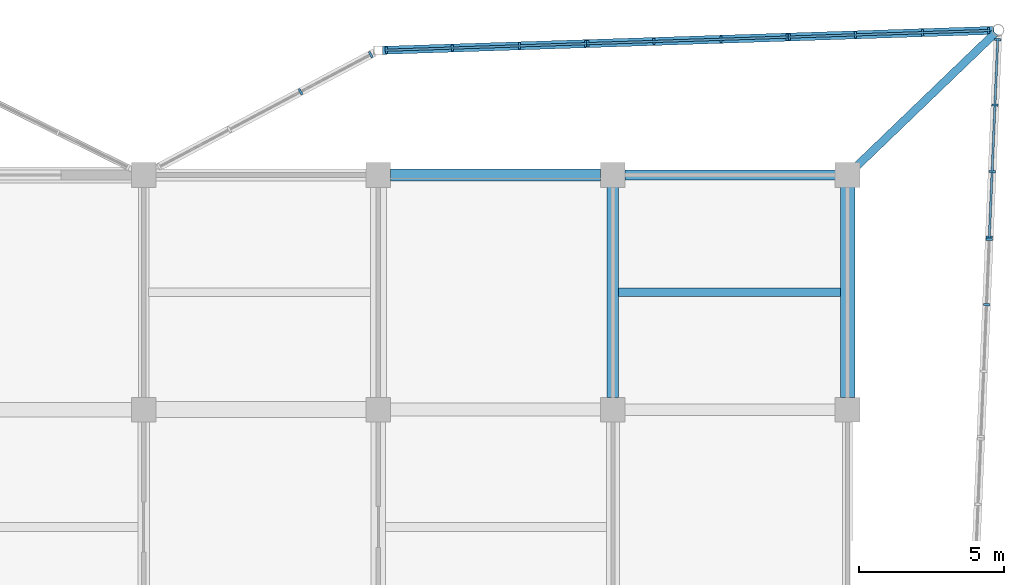
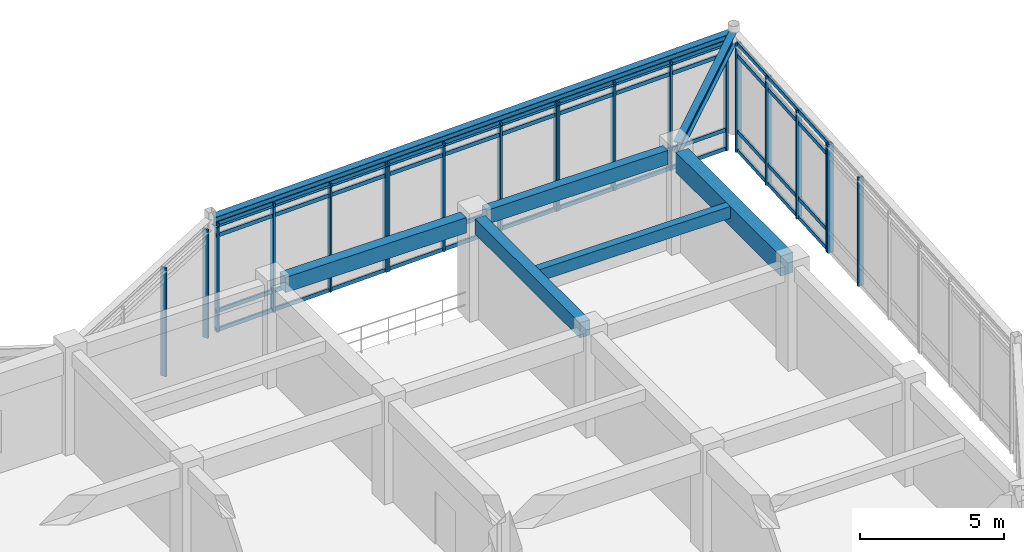
# One storey, part 48 of 93: 36 members, 7 beams, 6 elements without a shape of their own.
"""IFC4 building model written with IfcOpenShell, lengths in metres."""

from ifc_helpers import new_model, si_unit, direction, frame, origin, origin_2d, place, context, subcontext, project, spatial, rectangle, i_section, extrude, material, layer, layer_set, material_profile, profile_set, type_object, element, aggregate, save


model = new_model("IFC4")

# Units and contexts
model_context = context("Model", 3, precision=1e-05, world=origin(), true_north=direction((0.0, 1.0)))
body_context = subcontext(model_context, "Body", "Model", "MODEL_VIEW")
ifc_project = project(units=[si_unit("LENGTHUNIT", "METRE"), si_unit("AREAUNIT", "SQUARE_METRE"), si_unit("VOLUMEUNIT", "CUBIC_METRE"), si_unit("PLANEANGLEUNIT", "RADIAN"), si_unit("MASSUNIT", "GRAM", prefix="KILO")], contexts=[model_context])

# Site, building, storey
site_placement = place(None, origin())
site = spatial("IfcSite", under=ifc_project, at=site_placement, CompositionType="ELEMENT")
building_placement = place(site_placement, origin())
building = spatial("IfcBuilding", under=site, at=building_placement, Name="Vaudrelin Polytechnic", CompositionType="ELEMENT")
storey_placement = place(building_placement, frame((0.0, 0.0, 5.10009765625)))
storey = spatial("IfcBuildingStorey", under=building, at=storey_placement, Name="L01", CompositionType="ELEMENT", Elevation=5.10009765625)

# Beams
ifc_material_1 = material(Name="Concrete 40 MPa", Category="concrete")
ifc_material_profile_1 = material_profile(ifc_material_1, rectangle(XDim=0.35009765625, YDim=0.60009765625, at=origin_2d()), Name="RC350x600")
ifc_profile_set_1 = profile_set([ifc_material_profile_1], Name="Concrete 40 MPa")
beam_type_1 = type_object("IfcBeamType", Name="BM-BM-RC3560", PredefinedType="BEAM", material=ifc_profile_set_1)
beam_1_placement = place(storey_placement, frame((162.4208984375, 121.5, 4.010009765625), z_axis=(1.0, 0.0, 0.0), x_axis=(0.0, 1.0, 0.0)))
element("IfcBeam", 1, at=beam_1_placement, inside=storey, type_object=beam_type_1, Name="L01 X-beam 21-16", PredefinedType="BEAM", context=body_context, shape_type="SweptSolid", body=[
    extrude(rectangle(XDim=0.35009765625, YDim=0.60009765625, at=origin_2d()), origin(), (0.0, 0.0, 1.0), 7.258056640625),
])
ifc_material_profile_2 = material_profile(ifc_material_1, rectangle(XDim=0.39990234375, YDim=0.64990234375, at=origin_2d()), Name="RC400x650")
ifc_profile_set_2 = profile_set([ifc_material_profile_2], Name="Concrete 40 MPa")
beam_type_2 = type_object("IfcBeamType", Name="BM-BM-RC4065", PredefinedType="BEAM", material=ifc_profile_set_2)
beam_2_placement = place(storey_placement, frame((162.0, 113.81005859375, 3.98486328125), z_axis=(0.0, 1.0, 0.0), x_axis=(-1.0, 0.0, 0.0)))
element("IfcBeam", 2, at=beam_2_placement, inside=storey, type_object=beam_type_2, Name="L01 Y-beam 21-15", PredefinedType="BEAM", context=body_context, shape_type="SweptSolid", body=[
    extrude(rectangle(XDim=0.39990234375, YDim=0.64990234375, at=origin_2d()), origin(), (0.0, 0.0, 1.0), 7.280029296875),
])
beam_3_placement = place(storey_placement, frame((154.321044921875, 121.5, 3.98486328125), z_axis=(1.0, 0.0, 0.0), x_axis=(0.0, 1.0, 0.0)))
element("IfcBeam", 3, at=beam_3_placement, inside=storey, type_object=beam_type_2, Name="L01 X-beam 20-16", PredefinedType="BEAM", context=body_context, shape_type="SweptSolid", body=[
    extrude(rectangle(XDim=0.39990234375, YDim=0.64990234375, at=origin_2d()), origin(), (0.0, 0.0, 1.0), 7.258056640625),
])
ifc_material_profile_3 = material_profile(ifc_material_1, rectangle(XDim=0.5, YDim=0.85009765625, at=origin_2d()), Name="RC500x850")
ifc_profile_set_3 = profile_set([ifc_material_profile_3], Name="Concrete 40 MPa")
beam_type_3 = type_object("IfcBeamType", Name="BM-BM-RC5085", PredefinedType="BEAM", material=ifc_profile_set_3)
beam_4_placement = place(storey_placement, frame((170.10009765625, 113.81005859375, 3.885009765625), z_axis=(0.0, 1.0, 0.0), x_axis=(-1.0, 0.0, 0.0)))
element("IfcBeam", 4, at=beam_4_placement, inside=storey, type_object=beam_type_3, Name="L01 Y-beam 22-15", PredefinedType="BEAM", context=body_context, shape_type="SweptSolid", body=[
    extrude(rectangle(XDim=0.5, YDim=0.85009765625, at=origin_2d()), origin(), (0.0, 0.0, 1.0), 7.280029296875),
])
ifc_material_2 = material(Name="Steel CSA G40.21 350W", Category="steel")
ifc_material_profile_4 = material_profile(ifc_material_2, i_section(OverallWidth=0.280029296875, OverallDepth=0.462890625, WebThickness=0.0107421875, FlangeThickness=0.017333984375, FilletRadius=0.01806640625, at=origin_2d()), Name="W460x113")
ifc_profile_set_4 = profile_set([ifc_material_profile_4], Name="Steel CSA G40.21 350W")
beam_type_4 = type_object("IfcBeamType", Name="BM-BM-W460H", PredefinedType="BEAM", material=ifc_profile_set_4)
beam_5_placement = place(storey_placement, frame((154.039794921875, 125.8046875, 4.078369140625), z_axis=(0.999465724625, 0.032684328046, 0.0), x_axis=(-0.032684328046, 0.999465724625, 0.0)))
element("IfcBeam", 5, at=beam_5_placement, inside=storey, type_object=beam_type_4, Name="Sculptural edge beam L01 NE_BM_2", PredefinedType="BEAM", context=body_context, shape_type="SweptSolid", body=[
    extrude(i_section(OverallWidth=0.280029296875, OverallDepth=0.462890625, WebThickness=0.0107421875, FlangeThickness=0.017333984375, FilletRadius=0.01806640625, at=origin_2d()), origin(), (0.0, 0.0, 1.0), 21.131591796875),
])
beam_6_placement = place(storey_placement, frame((170.200927734375, 121.596923828125, 4.078369140625), z_axis=(0.720825622612, 0.69311645615, 0.0), x_axis=(-0.69311645615, 0.720825622612, 0.0)))
element("IfcBeam", 6, at=beam_6_placement, inside=storey, type_object=beam_type_4, Name="Sculptural edge beam L01 NE_BM_5", PredefinedType="BEAM", context=body_context, shape_type="SweptSolid", body=[
    extrude(i_section(OverallWidth=0.280029296875, OverallDepth=0.462890625, WebThickness=0.0107421875, FlangeThickness=0.017333984375, FilletRadius=0.01806640625, at=origin_2d()), origin(), (0.0, 0.0, 1.0), 6.93408203125),
])
ifc_material_profile_5 = material_profile(ifc_material_1, rectangle(XDim=0.300048828125, YDim=0.5, at=origin_2d()), Name="RC300x500")
ifc_profile_set_5 = profile_set([ifc_material_profile_5], Name="Concrete 40 MPa")
beam_type_5 = type_object("IfcBeamType", Name="BM-JS-RC3050", PredefinedType="JOIST", material=ifc_profile_set_5)
beam_7_placement = place(storey_placement, frame((162.196044921875, 117.449951171875, 4.059814453125), z_axis=(1.0, 0.0, 0.0), x_axis=(0.0, 1.0, 0.0)))
element("IfcBeam", 7, at=beam_7_placement, inside=storey, type_object=beam_type_5, Name="L01 floor joist 21-15", PredefinedType="JOIST", context=body_context, shape_type="SweptSolid", body=[
    extrude(rectangle(XDim=0.300048828125, YDim=0.5, at=origin_2d()), origin(), (0.0, 0.0, 1.0), 7.657958984375),
])

# Curtain wall, members
ifc_material_3 = material(Name="Thermally broken anodised aluminium AA 6063-T6 and low-e triple glazing", Category="aluminium")
ifc_layer = layer(ifc_material_3, 0.199951171875)
ifc_layer_set = layer_set([ifc_layer], Name="Thermally broken anodised aluminium AA 6063-T6 and low-e triple glazing")
curtain_wall_type = type_object("IfcCurtainWallType", Name="CW-CW-LAB", PredefinedType="USERDEFINED", material=ifc_layer_set)
curtain_wall_1_placement = place(storey_placement, origin())
curtain_wall_1 = element("IfcCurtainWall", 8, at=curtain_wall_1_placement, inside=storey, type_object=curtain_wall_type, Name="Curtain wall L01 NEP_1_0", ObjectType="CURTAIN WALL", PredefinedType="USERDEFINED")
ifc_material_4 = material(Name="Anodised aluminium AA 6063-T6", Category="aluminium")
ifc_material_profile_6 = material_profile(ifc_material_4, rectangle(XDim=0.074951171875, YDim=0.219970703125, at=origin_2d()), Name="CWM-75x220")
ifc_profile_set_6 = profile_set([ifc_material_profile_6], Name="Anodised aluminium AA 6063-T6")
member_type_1 = type_object("IfcMemberType", Name="MEM-CWM-220", PredefinedType="MULLION", material=ifc_profile_set_6)
member_1_placement = place(storey_placement, frame((151.215087890625, 124.37451171875, -0.630126953125), z_axis=(0.0, 0.0, 1.0), x_axis=(0.883256373642, 0.468890369298, 0.0)))
member_1 = element("IfcMember", 9, at=member_1_placement, type_object=member_type_1, Name="NEP_1_0 mullion 3", PredefinedType="MULLION", context=body_context, shape_type="SweptSolid", body=[
    extrude(rectangle(XDim=0.074951171875, YDim=0.219970703125, at=origin_2d()), origin(), (0.0, 0.0, 1.0), 4.610107421875),
])
member_2_placement = place(storey_placement, frame((153.63720703125, 125.660400390625, -0.630126953125), z_axis=(0.0, 0.0, 1.0), x_axis=(0.883256373642, 0.468890369298, 0.0)))
member_2 = element("IfcMember", 10, at=member_2_placement, type_object=member_type_1, Name="NEP_1_0 mullion 4", PredefinedType="MULLION", context=body_context, shape_type="SweptSolid", body=[
    extrude(rectangle(XDim=0.074951171875, YDim=0.219970703125, at=origin_2d()), origin(), (0.0, 0.0, 1.0), 4.610107421875),
])
aggregate(curtain_wall_1, [member_1, member_2])

curtain_wall_2_placement = place(storey_placement, origin())
curtain_wall_2 = element("IfcCurtainWall", 11, at=curtain_wall_2_placement, inside=storey, type_object=curtain_wall_type, Name="Curtain wall L01 NEP_2_0", ObjectType="CURTAIN WALL", PredefinedType="USERDEFINED")
member_3_placement = place(storey_placement, frame((154.177490234375, 125.80908203125, -0.630126953125), z_axis=(0.0, 0.0, 1.0), x_axis=(0.999465454284, 0.032692593862, 0.0)))
member_3 = element("IfcMember", 12, at=member_3_placement, type_object=member_type_1, Name="NEP_2_0 mullion 1", PredefinedType="MULLION", context=body_context, shape_type="SweptSolid", body=[
    extrude(rectangle(XDim=0.074951171875, YDim=0.219970703125, at=origin_2d()), origin(), (0.0, 0.0, 1.0), 4.610107421875),
])
member_4_placement = place(storey_placement, frame((156.456787109375, 125.8837890625, -0.630126953125), z_axis=(0.0, 0.0, 1.0), x_axis=(0.999465454284, 0.032692593862, 0.0)))
member_4 = element("IfcMember", 13, at=member_4_placement, type_object=member_type_1, Name="NEP_2_0 mullion 2", PredefinedType="MULLION", context=body_context, shape_type="SweptSolid", body=[
    extrude(rectangle(XDim=0.074951171875, YDim=0.219970703125, at=origin_2d()), origin(), (0.0, 0.0, 1.0), 4.610107421875),
])
member_5_placement = place(storey_placement, frame((158.776123046875, 125.95947265625, -0.630126953125), z_axis=(0.0, 0.0, 1.0), x_axis=(0.999465454284, 0.032692593862, 0.0)))
member_5 = element("IfcMember", 14, at=member_5_placement, type_object=member_type_1, Name="NEP_2_0 mullion 3", PredefinedType="MULLION", context=body_context, shape_type="SweptSolid", body=[
    extrude(rectangle(XDim=0.074951171875, YDim=0.219970703125, at=origin_2d()), origin(), (0.0, 0.0, 1.0), 4.610107421875),
])
member_6_placement = place(storey_placement, frame((161.0556640625, 126.0341796875, -0.630126953125), z_axis=(0.0, 0.0, 1.0), x_axis=(0.999465454284, 0.032692593862, 0.0)))
member_6 = element("IfcMember", 15, at=member_6_placement, type_object=member_type_1, Name="NEP_2_0 mullion 4", PredefinedType="MULLION", context=body_context, shape_type="SweptSolid", body=[
    extrude(rectangle(XDim=0.074951171875, YDim=0.219970703125, at=origin_2d()), origin(), (0.0, 0.0, 1.0), 4.610107421875),
])

curtain_wall_3_placement = place(storey_placement, origin())
curtain_wall_3 = element("IfcCurtainWall", 16, at=curtain_wall_3_placement, inside=storey, type_object=curtain_wall_type, Name="Curtain wall L01 NEP_2_1", ObjectType="CURTAIN WALL", PredefinedType="USERDEFINED")
member_7_placement = place(storey_placement, frame((161.135498046875, 126.03662109375, -0.630126953125), z_axis=(0.0, 0.0, 1.0), x_axis=(0.999465454284, 0.032692593862, 0.0)))
member_7 = element("IfcMember", 17, at=member_7_placement, type_object=member_type_1, Name="NEP_2_1 mullion 1", PredefinedType="MULLION", context=body_context, shape_type="SweptSolid", body=[
    extrude(rectangle(XDim=0.074951171875, YDim=0.219970703125, at=origin_2d()), origin(), (0.0, 0.0, 1.0), 4.610107421875),
])
member_8_placement = place(storey_placement, frame((163.4150390625, 126.111328125, -0.630126953125), z_axis=(0.0, 0.0, 1.0), x_axis=(0.999465454284, 0.032692593862, 0.0)))
member_8 = element("IfcMember", 18, at=member_8_placement, type_object=member_type_1, Name="NEP_2_1 mullion 2", PredefinedType="MULLION", context=body_context, shape_type="SweptSolid", body=[
    extrude(rectangle(XDim=0.074951171875, YDim=0.219970703125, at=origin_2d()), origin(), (0.0, 0.0, 1.0), 4.610107421875),
])
member_9_placement = place(storey_placement, frame((165.734375, 126.18701171875, -0.630126953125), z_axis=(0.0, 0.0, 1.0), x_axis=(0.999465454284, 0.032692593862, 0.0)))
member_9 = element("IfcMember", 19, at=member_9_placement, type_object=member_type_1, Name="NEP_2_1 mullion 3", PredefinedType="MULLION", context=body_context, shape_type="SweptSolid", body=[
    extrude(rectangle(XDim=0.074951171875, YDim=0.219970703125, at=origin_2d()), origin(), (0.0, 0.0, 1.0), 4.610107421875),
])
member_10_placement = place(storey_placement, frame((168.013671875, 126.26171875, -0.630126953125), z_axis=(0.0, 0.0, 1.0), x_axis=(0.999465454284, 0.032692593862, 0.0)))
member_10 = element("IfcMember", 20, at=member_10_placement, type_object=member_type_1, Name="NEP_2_1 mullion 4", PredefinedType="MULLION", context=body_context, shape_type="SweptSolid", body=[
    extrude(rectangle(XDim=0.074951171875, YDim=0.219970703125, at=origin_2d()), origin(), (0.0, 0.0, 1.0), 4.610107421875),
])

curtain_wall_4_placement = place(storey_placement, origin())
curtain_wall_4 = element("IfcCurtainWall", 21, at=curtain_wall_4_placement, inside=storey, type_object=curtain_wall_type, Name="Curtain wall L01 NEP_2_2", ObjectType="CURTAIN WALL", PredefinedType="USERDEFINED")
member_11_placement = place(storey_placement, frame((168.09375, 126.264404296875, -0.630126953125), z_axis=(0.0, 0.0, 1.0), x_axis=(0.999465454284, 0.032692593862, 0.0)))
member_11 = element("IfcMember", 22, at=member_11_placement, type_object=member_type_1, Name="NEP_2_2 mullion 1", PredefinedType="MULLION", context=body_context, shape_type="SweptSolid", body=[
    extrude(rectangle(XDim=0.074951171875, YDim=0.219970703125, at=origin_2d()), origin(), (0.0, 0.0, 1.0), 4.610107421875),
])
member_12_placement = place(storey_placement, frame((170.373046875, 126.3388671875, -0.630126953125), z_axis=(0.0, 0.0, 1.0), x_axis=(0.999465454284, 0.032692593862, 0.0)))
member_12 = element("IfcMember", 23, at=member_12_placement, type_object=member_type_1, Name="NEP_2_2 mullion 2", PredefinedType="MULLION", context=body_context, shape_type="SweptSolid", body=[
    extrude(rectangle(XDim=0.074951171875, YDim=0.219970703125, at=origin_2d()), origin(), (0.0, 0.0, 1.0), 4.610107421875),
])
member_13_placement = place(storey_placement, frame((172.6923828125, 126.414794921875, -0.630126953125), z_axis=(0.0, 0.0, 1.0), x_axis=(0.999465454284, 0.032692593862, 0.0)))
member_13 = element("IfcMember", 24, at=member_13_placement, type_object=member_type_1, Name="NEP_2_2 mullion 3", PredefinedType="MULLION", context=body_context, shape_type="SweptSolid", body=[
    extrude(rectangle(XDim=0.074951171875, YDim=0.219970703125, at=origin_2d()), origin(), (0.0, 0.0, 1.0), 4.610107421875),
])
member_14_placement = place(storey_placement, frame((174.9716796875, 126.4892578125, -0.630126953125), z_axis=(0.0, 0.0, 1.0), x_axis=(0.999465454284, 0.032692593862, 0.0)))
member_14 = element("IfcMember", 25, at=member_14_placement, type_object=member_type_1, Name="NEP_2_2 mullion 4", PredefinedType="MULLION", context=body_context, shape_type="SweptSolid", body=[
    extrude(rectangle(XDim=0.074951171875, YDim=0.219970703125, at=origin_2d()), origin(), (0.0, 0.0, 1.0), 4.610107421875),
])

curtain_wall_5_placement = place(storey_placement, origin())
curtain_wall_5 = element("IfcCurtainWall", 26, at=curtain_wall_5_placement, inside=storey, type_object=curtain_wall_type, Name="Curtain wall L01 NEP_3_0", ObjectType="CURTAIN WALL", PredefinedType="USERDEFINED")
member_15_placement = place(storey_placement, frame((175.2861328125, 126.171875, -0.630126953125), z_axis=(0.0, 0.0, 1.0), x_axis=(-0.042419882824, -0.999099871655, 0.0)))
member_15 = element("IfcMember", 27, at=member_15_placement, type_object=member_type_1, Name="NEP_3_0 mullion 1", PredefinedType="MULLION", context=body_context, shape_type="SweptSolid", body=[
    extrude(rectangle(XDim=0.074951171875, YDim=0.219970703125, at=origin_2d()), origin(), (0.0, 0.0, 1.0), 4.610107421875),
])
member_16_placement = place(storey_placement, frame((175.190185546875, 123.914794921875, -0.630126953125), z_axis=(0.0, 0.0, 1.0), x_axis=(-0.042419882824, -0.999099871655, 0.0)))
member_16 = element("IfcMember", 28, at=member_16_placement, type_object=member_type_1, Name="NEP_3_0 mullion 2", PredefinedType="MULLION", context=body_context, shape_type="SweptSolid", body=[
    extrude(rectangle(XDim=0.074951171875, YDim=0.219970703125, at=origin_2d()), origin(), (0.0, 0.0, 1.0), 4.610107421875),
])
member_17_placement = place(storey_placement, frame((175.0927734375, 121.61767578125, -0.630126953125), z_axis=(0.0, 0.0, 1.0), x_axis=(-0.042419882824, -0.999099871655, 0.0)))
member_17 = element("IfcMember", 29, at=member_17_placement, type_object=member_type_1, Name="NEP_3_0 mullion 3", PredefinedType="MULLION", context=body_context, shape_type="SweptSolid", body=[
    extrude(rectangle(XDim=0.074951171875, YDim=0.219970703125, at=origin_2d()), origin(), (0.0, 0.0, 1.0), 4.610107421875),
])
member_18_placement = place(storey_placement, frame((174.996826171875, 119.3603515625, -0.630126953125), z_axis=(0.0, 0.0, 1.0), x_axis=(-0.042419882824, -0.999099871655, 0.0)))
member_18 = element("IfcMember", 30, at=member_18_placement, type_object=member_type_1, Name="NEP_3_0 mullion 4", PredefinedType="MULLION", context=body_context, shape_type="SweptSolid", body=[
    extrude(rectangle(XDim=0.074951171875, YDim=0.219970703125, at=origin_2d()), origin(), (0.0, 0.0, 1.0), 4.610107421875),
])

curtain_wall_6_placement = place(storey_placement, origin())
curtain_wall_6 = element("IfcCurtainWall", 31, at=curtain_wall_6_placement, inside=storey, type_object=curtain_wall_type, Name="Curtain wall L01 NEP_3_1", ObjectType="CURTAIN WALL", PredefinedType="USERDEFINED")
member_19_placement = place(storey_placement, frame((174.993408203125, 119.280517578125, -0.630126953125), z_axis=(0.0, 0.0, 1.0), x_axis=(-0.042405411318, -0.999100485983, 0.0)))
member_19 = element("IfcMember", 32, at=member_19_placement, type_object=member_type_1, Name="NEP_3_1 mullion 1", PredefinedType="MULLION", context=body_context, shape_type="SweptSolid", body=[
    extrude(rectangle(XDim=0.074951171875, YDim=0.219970703125, at=origin_2d()), origin(), (0.0, 0.0, 1.0), 4.610107421875),
])
member_20_placement = place(storey_placement, frame((174.897705078125, 117.023193359375, -0.630126953125), z_axis=(0.0, 0.0, 1.0), x_axis=(-0.042405411318, -0.999100485983, 0.0)))
member_20 = element("IfcMember", 33, at=member_20_placement, type_object=member_type_1, Name="NEP_3_1 mullion 2", PredefinedType="MULLION", context=body_context, shape_type="SweptSolid", body=[
    extrude(rectangle(XDim=0.074951171875, YDim=0.219970703125, at=origin_2d()), origin(), (0.0, 0.0, 1.0), 4.610107421875),
])
aggregate(curtain_wall_6, [member_19, member_20])

# Member
ifc_material_profile_7 = material_profile(ifc_material_4, rectangle(XDim=0.074951171875, YDim=0.1650390625, at=origin_2d()), Name="CWT-75x165")
ifc_profile_set_7 = profile_set([ifc_material_profile_7], Name="Anodised aluminium AA 6063-T6")
member_type_2 = type_object("IfcMemberType", Name="MEM-CWT-165", PredefinedType="USERDEFINED", material=ifc_profile_set_7)
member_21_placement = place(storey_placement, frame((154.137451171875, 125.807861328125, -0.580078125), z_axis=(0.999465763569, 0.032683137141, 0.0), x_axis=(-0.032683137141, 0.999465763569, 0.0)))
member_21 = element("IfcMember", 34, at=member_21_placement, type_object=member_type_2, Name="NEP_2_0 transom 1", ObjectType="TRANSOM", PredefinedType="USERDEFINED", context=body_context, shape_type="SweptSolid", body=[
    extrude(rectangle(XDim=0.074951171875, YDim=0.1650390625, at=origin_2d()), origin(), (0.0, 0.0, 1.0), 6.9619140625),
])

member_22_placement = place(storey_placement, frame((154.137451171875, 125.807861328125, 0.219970703125), z_axis=(0.999465763569, 0.032683137141, 0.0), x_axis=(-0.032683137141, 0.999465763569, 0.0)))
member_22 = element("IfcMember", 35, at=member_22_placement, type_object=member_type_2, Name="NEP_2_0 transom 2", ObjectType="TRANSOM", PredefinedType="USERDEFINED", context=body_context, shape_type="SweptSolid", body=[
    extrude(rectangle(XDim=0.074951171875, YDim=0.1650390625, at=origin_2d()), origin(), (0.0, 0.0, 1.0), 6.9619140625),
])

member_23_placement = place(storey_placement, frame((154.137451171875, 125.807861328125, 3.429931640625), z_axis=(0.999465763569, 0.032683137141, 0.0), x_axis=(-0.032683137141, 0.999465763569, 0.0)))
member_23 = element("IfcMember", 36, at=member_23_placement, type_object=member_type_2, Name="NEP_2_0 transom 3", ObjectType="TRANSOM", PredefinedType="USERDEFINED", context=body_context, shape_type="SweptSolid", body=[
    extrude(rectangle(XDim=0.074951171875, YDim=0.1650390625, at=origin_2d()), origin(), (0.0, 0.0, 1.0), 6.9619140625),
])

member_24_placement = place(storey_placement, frame((154.137451171875, 125.807861328125, 3.929931640625), z_axis=(0.999465763569, 0.032683137141, 0.0), x_axis=(-0.032683137141, 0.999465763569, 0.0)))
member_24 = element("IfcMember", 37, at=member_24_placement, type_object=member_type_2, Name="NEP_2_0 transom 4", ObjectType="TRANSOM", PredefinedType="USERDEFINED", context=body_context, shape_type="SweptSolid", body=[
    extrude(rectangle(XDim=0.074951171875, YDim=0.1650390625, at=origin_2d()), origin(), (0.0, 0.0, 1.0), 6.9619140625),
])

aggregate(curtain_wall_2, [member_3, member_4, member_5, member_6, member_21, member_22, member_23, member_24])

member_25_placement = place(storey_placement, frame((161.095703125, 126.035400390625, -0.580078125), z_axis=(0.999465726108, 0.032684282692, 0.0), x_axis=(-0.032684282692, 0.999465726108, 0.0)))
member_25 = element("IfcMember", 38, at=member_25_placement, type_object=member_type_2, Name="NEP_2_1 transom 1", ObjectType="TRANSOM", PredefinedType="USERDEFINED", context=body_context, shape_type="SweptSolid", body=[
    extrude(rectangle(XDim=0.074951171875, YDim=0.1650390625, at=origin_2d()), origin(), (0.0, 0.0, 1.0), 6.961669921875),
])

member_26_placement = place(storey_placement, frame((161.095703125, 126.035400390625, 0.219970703125), z_axis=(0.999465726108, 0.032684282692, 0.0), x_axis=(-0.032684282692, 0.999465726108, 0.0)))
member_26 = element("IfcMember", 39, at=member_26_placement, type_object=member_type_2, Name="NEP_2_1 transom 2", ObjectType="TRANSOM", PredefinedType="USERDEFINED", context=body_context, shape_type="SweptSolid", body=[
    extrude(rectangle(XDim=0.074951171875, YDim=0.1650390625, at=origin_2d()), origin(), (0.0, 0.0, 1.0), 6.961669921875),
])

member_27_placement = place(storey_placement, frame((161.095703125, 126.035400390625, 3.429931640625), z_axis=(0.999465726108, 0.032684282692, 0.0), x_axis=(-0.032684282692, 0.999465726108, 0.0)))
member_27 = element("IfcMember", 40, at=member_27_placement, type_object=member_type_2, Name="NEP_2_1 transom 3", ObjectType="TRANSOM", PredefinedType="USERDEFINED", context=body_context, shape_type="SweptSolid", body=[
    extrude(rectangle(XDim=0.074951171875, YDim=0.1650390625, at=origin_2d()), origin(), (0.0, 0.0, 1.0), 6.961669921875),
])

member_28_placement = place(storey_placement, frame((161.095703125, 126.035400390625, 3.929931640625), z_axis=(0.999465726108, 0.032684282692, 0.0), x_axis=(-0.032684282692, 0.999465726108, 0.0)))
member_28 = element("IfcMember", 41, at=member_28_placement, type_object=member_type_2, Name="NEP_2_1 transom 4", ObjectType="TRANSOM", PredefinedType="USERDEFINED", context=body_context, shape_type="SweptSolid", body=[
    extrude(rectangle(XDim=0.074951171875, YDim=0.1650390625, at=origin_2d()), origin(), (0.0, 0.0, 1.0), 6.961669921875),
])

aggregate(curtain_wall_3, [member_7, member_8, member_9, member_10, member_25, member_26, member_27, member_28])

member_29_placement = place(storey_placement, frame((168.0537109375, 126.262939453125, -0.580078125), z_axis=(0.999465726108, 0.032684282692, 0.0), x_axis=(-0.032684282692, 0.999465726108, 0.0)))
member_29 = element("IfcMember", 42, at=member_29_placement, type_object=member_type_2, Name="NEP_2_2 transom 1", ObjectType="TRANSOM", PredefinedType="USERDEFINED", context=body_context, shape_type="SweptSolid", body=[
    extrude(rectangle(XDim=0.074951171875, YDim=0.1650390625, at=origin_2d()), origin(), (0.0, 0.0, 1.0), 6.961669921875),
])

member_30_placement = place(storey_placement, frame((168.0537109375, 126.262939453125, 0.219970703125), z_axis=(0.999465726108, 0.032684282692, 0.0), x_axis=(-0.032684282692, 0.999465726108, 0.0)))
member_30 = element("IfcMember", 43, at=member_30_placement, type_object=member_type_2, Name="NEP_2_2 transom 2", ObjectType="TRANSOM", PredefinedType="USERDEFINED", context=body_context, shape_type="SweptSolid", body=[
    extrude(rectangle(XDim=0.074951171875, YDim=0.1650390625, at=origin_2d()), origin(), (0.0, 0.0, 1.0), 6.961669921875),
])

member_31_placement = place(storey_placement, frame((168.0537109375, 126.262939453125, 3.429931640625), z_axis=(0.999465726108, 0.032684282692, 0.0), x_axis=(-0.032684282692, 0.999465726108, 0.0)))
member_31 = element("IfcMember", 44, at=member_31_placement, type_object=member_type_2, Name="NEP_2_2 transom 3", ObjectType="TRANSOM", PredefinedType="USERDEFINED", context=body_context, shape_type="SweptSolid", body=[
    extrude(rectangle(XDim=0.074951171875, YDim=0.1650390625, at=origin_2d()), origin(), (0.0, 0.0, 1.0), 6.961669921875),
])

member_32_placement = place(storey_placement, frame((168.0537109375, 126.262939453125, 3.929931640625), z_axis=(0.999465726108, 0.032684282692, 0.0), x_axis=(-0.032684282692, 0.999465726108, 0.0)))
member_32 = element("IfcMember", 45, at=member_32_placement, type_object=member_type_2, Name="NEP_2_2 transom 4", ObjectType="TRANSOM", PredefinedType="USERDEFINED", context=body_context, shape_type="SweptSolid", body=[
    extrude(rectangle(XDim=0.074951171875, YDim=0.1650390625, at=origin_2d()), origin(), (0.0, 0.0, 1.0), 6.961669921875),
])

aggregate(curtain_wall_4, [member_11, member_12, member_13, member_14, member_29, member_30, member_31, member_32])

member_33_placement = place(storey_placement, frame((175.287841796875, 126.2119140625, -0.580078125), z_axis=(-0.042437291332, -0.999099132371, 0.0), x_axis=(0.999099132371, -0.042437291332, 0.0)))
member_33 = element("IfcMember", 46, at=member_33_placement, type_object=member_type_2, Name="NEP_3_0 transom 1", ObjectType="TRANSOM", PredefinedType="USERDEFINED", context=body_context, shape_type="SweptSolid", body=[
    extrude(rectangle(XDim=0.074951171875, YDim=0.1650390625, at=origin_2d()), origin(), (0.0, 0.0, 1.0), 6.897705078125),
])

member_34_placement = place(storey_placement, frame((175.287841796875, 126.2119140625, 0.219970703125), z_axis=(-0.042437291332, -0.999099132371, 0.0), x_axis=(0.999099132371, -0.042437291332, 0.0)))
member_34 = element("IfcMember", 47, at=member_34_placement, type_object=member_type_2, Name="NEP_3_0 transom 2", ObjectType="TRANSOM", PredefinedType="USERDEFINED", context=body_context, shape_type="SweptSolid", body=[
    extrude(rectangle(XDim=0.074951171875, YDim=0.1650390625, at=origin_2d()), origin(), (0.0, 0.0, 1.0), 6.897705078125),
])

member_35_placement = place(storey_placement, frame((175.287841796875, 126.2119140625, 3.429931640625), z_axis=(-0.042437291332, -0.999099132371, 0.0), x_axis=(0.999099132371, -0.042437291332, 0.0)))
member_35 = element("IfcMember", 48, at=member_35_placement, type_object=member_type_2, Name="NEP_3_0 transom 3", ObjectType="TRANSOM", PredefinedType="USERDEFINED", context=body_context, shape_type="SweptSolid", body=[
    extrude(rectangle(XDim=0.074951171875, YDim=0.1650390625, at=origin_2d()), origin(), (0.0, 0.0, 1.0), 6.897705078125),
])

member_36_placement = place(storey_placement, frame((175.287841796875, 126.2119140625, 3.929931640625), z_axis=(-0.042437291332, -0.999099132371, 0.0), x_axis=(0.999099132371, -0.042437291332, 0.0)))
member_36 = element("IfcMember", 49, at=member_36_placement, type_object=member_type_2, Name="NEP_3_0 transom 4", ObjectType="TRANSOM", PredefinedType="USERDEFINED", context=body_context, shape_type="SweptSolid", body=[
    extrude(rectangle(XDim=0.074951171875, YDim=0.1650390625, at=origin_2d()), origin(), (0.0, 0.0, 1.0), 6.897705078125),
])

aggregate(curtain_wall_5, [member_15, member_16, member_17, member_18, member_33, member_34, member_35, member_36])

save(model, "model.ifc")
